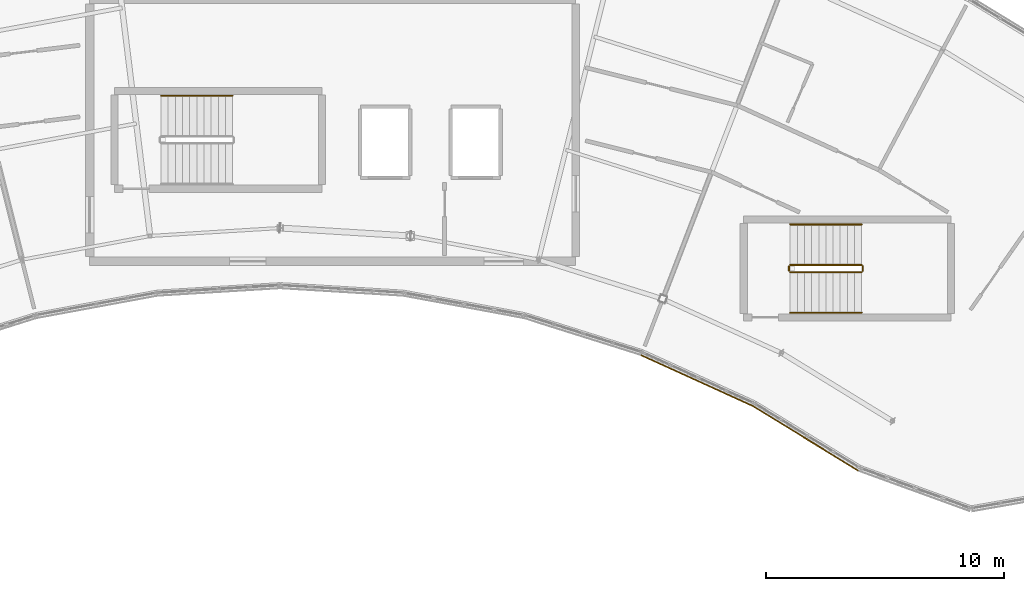
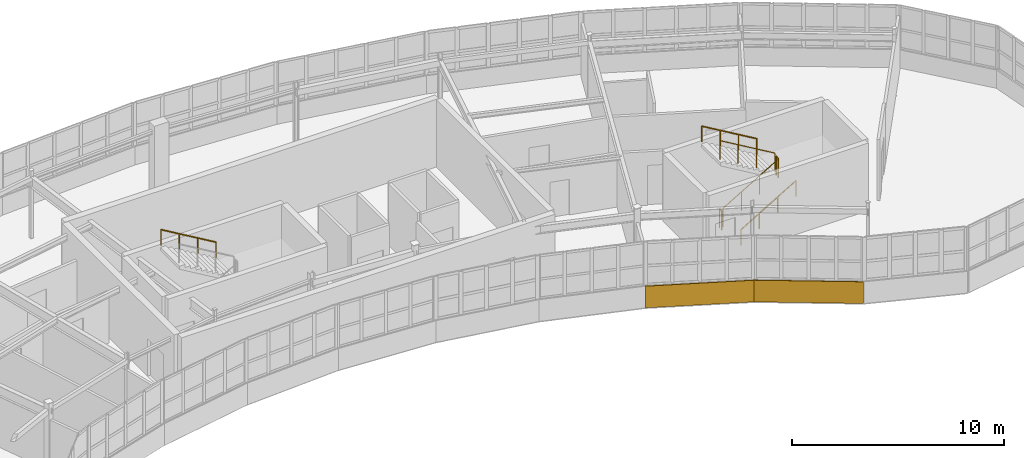
# One storey, part 78 of 79: 7 railings, 2 coverings.
"""IFC4 building model written with IfcOpenShell, lengths in metres."""

from ifc_helpers import new_model, si_unit, direction, frame, origin, origin_2d, place, context, subcontext, project, spatial, rectangle, circle, extrude, material, layer, layer_set, type_object, element, save


model = new_model("IFC4")

# Units and contexts
model_context = context("Model", 3, precision=1e-05, world=origin(), true_north=direction((0.0, 1.0)))
body_context = subcontext(model_context, "Body", "Model", "MODEL_VIEW")
ifc_project = project(units=[si_unit("LENGTHUNIT", "METRE"), si_unit("AREAUNIT", "SQUARE_METRE"), si_unit("VOLUMEUNIT", "CUBIC_METRE"), si_unit("PLANEANGLEUNIT", "RADIAN"), si_unit("MASSUNIT", "GRAM", prefix="KILO")], contexts=[model_context])

# Site, building, storey
site_placement = place(None, origin())
site = spatial("IfcSite", under=ifc_project, at=site_placement, CompositionType="ELEMENT")
building_placement = place(site_placement, origin())
building = spatial("IfcBuilding", under=site, at=building_placement, Name="Tarnwether General Hospital", CompositionType="ELEMENT")
storey_placement = place(building_placement, frame((0.0, 0.0, 18.300048828125)))
storey = spatial("IfcBuildingStorey", under=building, at=storey_placement, Name="L04", CompositionType="ELEMENT", Elevation=18.300048828125)

# Coverings
ifc_material_1 = material(Name="Streamlined white enamelled aluminium", Category="aluminium")
ifc_layer = layer(ifc_material_1, 0.044921875)
ifc_layer_set = layer_set([ifc_layer], Name="Streamlined white enamelled aluminium")
covering_type = type_object("IfcCoveringType", Name="CV-CLD-WHT", PredefinedType="CLADDING", material=ifc_layer_set)
for number, where, z_axis, x_axis, name in (
    (1, (109.49609375, 101.389892578125, -0.175048828125), (0.0, 0.0, 1.0), (-0.909954032975, 0.414709124413, 0.0), "Streamlined White Horizontal Band NW L04 14"),
    (2, (114.0439453125, 98.971923828125, -0.175048828125), (0.0, 0.0, 1.0), (-0.852631044904, 0.522513446015, 0.0), "Streamlined White Horizontal Band NW L04 15"),
):
    element("IfcCovering", number, at=place(storey_placement, frame(where, z_axis=z_axis, x_axis=x_axis)), inside=storey, type_object=covering_type, Name=name, PredefinedType="CLADDING", context=body_context, shape_type="SweptSolid", body=[
        extrude(rectangle(XDim=5.177001953125, YDim=0.044921875, at=origin_2d()), origin(), (0.0, 0.0, 1.0), 1.25),
    ])

# Railings
ifc_material_2 = material(Name="Anodised aluminium", Category="aluminium")
railing_type_1 = type_object("IfcRailingType", Name="RL-GRD-INT", PredefinedType="GUARDRAIL", material=ifc_material_2)
railing_1_placement = place(storey_placement, frame((113.39990234375, 105.949951171875, 0.17724609375)))
element("IfcRailing", 3, at=railing_1_placement, inside=storey, type_object=railing_type_1, Name="L04 ST-08 stair guard 1", PredefinedType="GUARDRAIL", context=body_context, shape_type="SweptSolid", body=[
    extrude(circle(Radius=0.02392578125, at=origin_2d()), frame((0.0, 0.0, 1.076171875), z_axis=(0.86092931783, 0.0, 0.508724591208), x_axis=(0.0, 1.0, 0.0)), (0.0, 0.0, 1.0), 3.484619140625),
    extrude(circle(Radius=0.02099609375, at=origin_2d()), origin(), (0.0, 0.0, 1.0), 1.052001953125),
    extrude(circle(Radius=0.02099609375, at=origin_2d()), frame((1.0, 0.0, 0.5908203125)), (0.0, 0.0, 1.0), 1.052001953125),
    extrude(circle(Radius=0.02099609375, at=origin_2d()), frame((2.0, 0.0, 1.181884765625)), (0.0, 0.0, 1.0), 1.052001953125),
    extrude(circle(Radius=0.02099609375, at=origin_2d()), frame((3.0, 0.0, 1.772705078125)), (0.0, 0.0, 1.0), 1.052001953125),
])
railing_2_placement = place(storey_placement, frame((116.449951171875, 106.0, 1.949951171875)))
element("IfcRailing", 4, at=railing_2_placement, inside=storey, type_object=railing_type_1, Name="L04 ST-08 stair guard 2", PredefinedType="GUARDRAIL", context=body_context, shape_type="SweptSolid", body=[
    extrude(circle(Radius=0.02392578125, at=origin_2d()), frame((0.0, 0.0, 1.076171875), z_axis=(0.0, 1.0, 0.0), x_axis=(-1.0, 0.0, 0.0)), (0.0, 0.0, 1.0), 0.199951171875),
    extrude(circle(Radius=0.02099609375, at=origin_2d()), origin(), (0.0, 0.0, 1.0), 1.052001953125),
    extrude(circle(Radius=0.02099609375, at=origin_2d()), frame((0.0, 0.199951171875, 0.0)), (0.0, 0.0, 1.0), 1.052001953125),
])
railing_3_placement = place(storey_placement, frame((116.39990234375, 106.25, 2.127197265625)))
element("IfcRailing", 5, at=railing_3_placement, inside=storey, type_object=railing_type_1, Name="L04 ST-08 stair guard 3", PredefinedType="GUARDRAIL", context=body_context, shape_type="SweptSolid", body=[
    extrude(circle(Radius=0.02392578125, at=origin_2d()), frame((0.0, 0.0, 1.076171875), z_axis=(-0.86092931783, 0.0, 0.508724591208), x_axis=(0.0, -1.0, 0.0)), (0.0, 0.0, 1.0), 3.484619140625),
    extrude(circle(Radius=0.02099609375, at=origin_2d()), origin(), (0.0, 0.0, 1.0), 1.052001953125),
    extrude(circle(Radius=0.02099609375, at=origin_2d()), frame((-1.0, 0.0, 0.5908203125)), (0.0, 0.0, 1.0), 1.052001953125),
    extrude(circle(Radius=0.02099609375, at=origin_2d()), frame((-2.0, 0.0, 1.181884765625)), (0.0, 0.0, 1.0), 1.052001953125),
    extrude(circle(Radius=0.02099609375, at=origin_2d()), frame((-3.0, 0.0, 1.772705078125)), (0.0, 0.0, 1.0), 1.052001953125),
])
railing_4_placement = place(storey_placement, frame((113.35009765625, 106.0, 0.0)))
element("IfcRailing", 6, at=railing_4_placement, inside=storey, type_object=railing_type_1, Name="L04 ST-08 stair guard 4", PredefinedType="GUARDRAIL", context=body_context, shape_type="SweptSolid", body=[
    extrude(circle(Radius=0.02392578125, at=origin_2d()), frame((0.0, 0.0, 1.076171875), z_axis=(0.0, 1.0, 0.0), x_axis=(-1.0, 0.0, 0.0)), (0.0, 0.0, 1.0), 0.199951171875),
    extrude(circle(Radius=0.02099609375, at=origin_2d()), origin(), (0.0, 0.0, 1.0), 1.052001953125),
    extrude(circle(Radius=0.02099609375, at=origin_2d()), frame((0.0, 0.199951171875, 0.0)), (0.0, 0.0, 1.0), 1.052001953125),
])
ifc_material_3 = material(Name="Anodised aluminium", Category="aluminium")
railing_type_2 = type_object("IfcRailingType", Name="RL-HND-INT", PredefinedType="HANDRAIL", material=ifc_material_3)
railing_5_placement = place(storey_placement, frame((90.0, 113.35009765625, 2.127197265625)))
element("IfcRailing", 7, at=railing_5_placement, inside=storey, type_object=railing_type_2, Name="L04 ST-01 stair handrail 2", PredefinedType="HANDRAIL", context=body_context, shape_type="SweptSolid", body=[
    extrude(circle(Radius=0.02392578125, at=origin_2d()), frame((0.0, 0.0, 0.8759765625), z_axis=(-0.86092931783, 0.0, 0.508724591208), x_axis=(0.0, -1.0, 0.0)), (0.0, 0.0, 1.0), 3.484619140625),
    extrude(circle(Radius=0.02099609375, at=origin_2d()), origin(), (0.0, 0.0, 1.0), 0.851806640625),
    extrude(circle(Radius=0.02099609375, at=origin_2d()), frame((-1.0, 0.0, 0.5908203125)), (0.0, 0.0, 1.0), 0.851806640625),
    extrude(circle(Radius=0.02099609375, at=origin_2d()), frame((-2.0, 0.0, 1.181884765625)), (0.0, 0.0, 1.0), 0.851806640625),
    extrude(circle(Radius=0.02099609375, at=origin_2d()), frame((-3.0, 0.0, 1.772705078125)), (0.0, 0.0, 1.0), 0.851806640625),
])
railing_6_placement = place(storey_placement, frame((113.39990234375, 104.25, 0.17724609375)))
element("IfcRailing", 8, at=railing_6_placement, inside=storey, type_object=railing_type_2, Name="L04 ST-08 stair handrail 1", PredefinedType="HANDRAIL", context=body_context, shape_type="SweptSolid", body=[
    extrude(circle(Radius=0.02392578125, at=origin_2d()), frame((0.0, 0.0, 0.8759765625), z_axis=(0.86092931783, 0.0, 0.508724591208), x_axis=(0.0, 1.0, 0.0)), (0.0, 0.0, 1.0), 3.484619140625),
    extrude(circle(Radius=0.02099609375, at=origin_2d()), origin(), (0.0, 0.0, 1.0), 0.851806640625),
    extrude(circle(Radius=0.02099609375, at=origin_2d()), frame((1.0, 0.0, 0.5908203125)), (0.0, 0.0, 1.0), 0.851806640625),
    extrude(circle(Radius=0.02099609375, at=origin_2d()), frame((2.0, 0.0, 1.181884765625)), (0.0, 0.0, 1.0), 0.851806640625),
    extrude(circle(Radius=0.02099609375, at=origin_2d()), frame((3.0, 0.0, 1.772705078125)), (0.0, 0.0, 1.0), 0.851806640625),
])
railing_7_placement = place(storey_placement, frame((116.39990234375, 107.949951171875, 2.127197265625)))
element("IfcRailing", 9, at=railing_7_placement, inside=storey, type_object=railing_type_2, Name="L04 ST-08 stair handrail 2", PredefinedType="HANDRAIL", context=body_context, shape_type="SweptSolid", body=[
    extrude(circle(Radius=0.02392578125, at=origin_2d()), frame((0.0, 0.0, 0.8759765625), z_axis=(-0.86092931783, 0.0, 0.508724591208), x_axis=(0.0, -1.0, 0.0)), (0.0, 0.0, 1.0), 3.484619140625),
    extrude(circle(Radius=0.02099609375, at=origin_2d()), origin(), (0.0, 0.0, 1.0), 0.851806640625),
    extrude(circle(Radius=0.02099609375, at=origin_2d()), frame((-1.0, 0.0, 0.5908203125)), (0.0, 0.0, 1.0), 0.851806640625),
    extrude(circle(Radius=0.02099609375, at=origin_2d()), frame((-2.0, 0.0, 1.181884765625)), (0.0, 0.0, 1.0), 0.851806640625),
    extrude(circle(Radius=0.02099609375, at=origin_2d()), frame((-3.0, 0.0, 1.772705078125)), (0.0, 0.0, 1.0), 0.851806640625),
])

save(model, "model.ifc")
